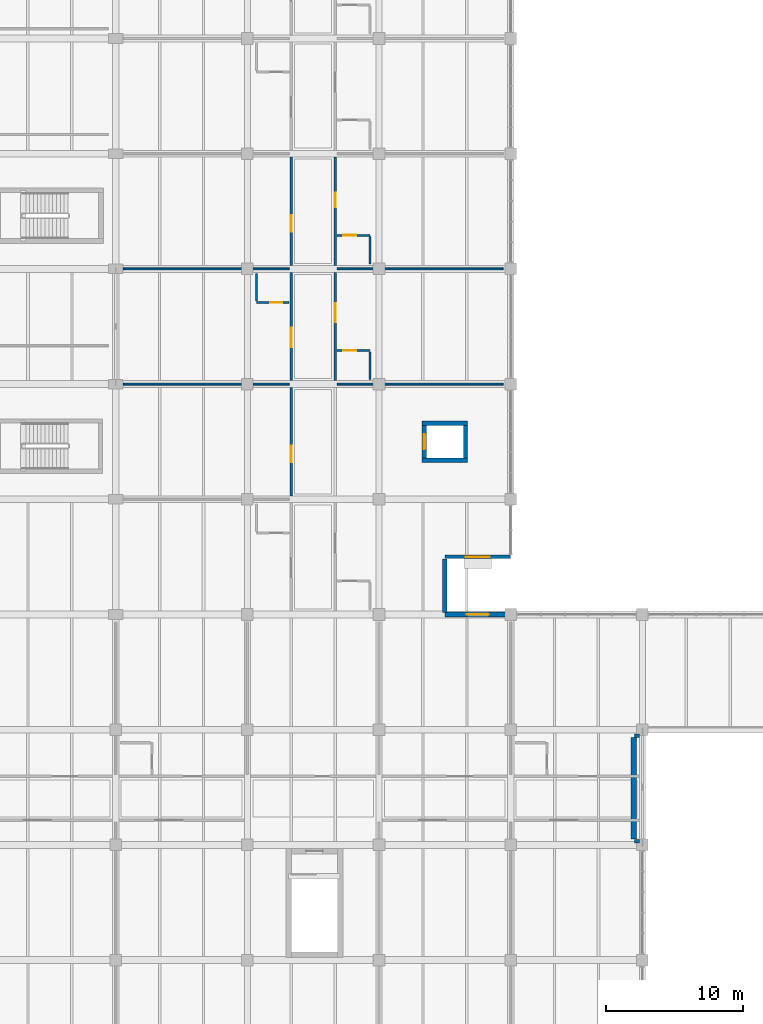
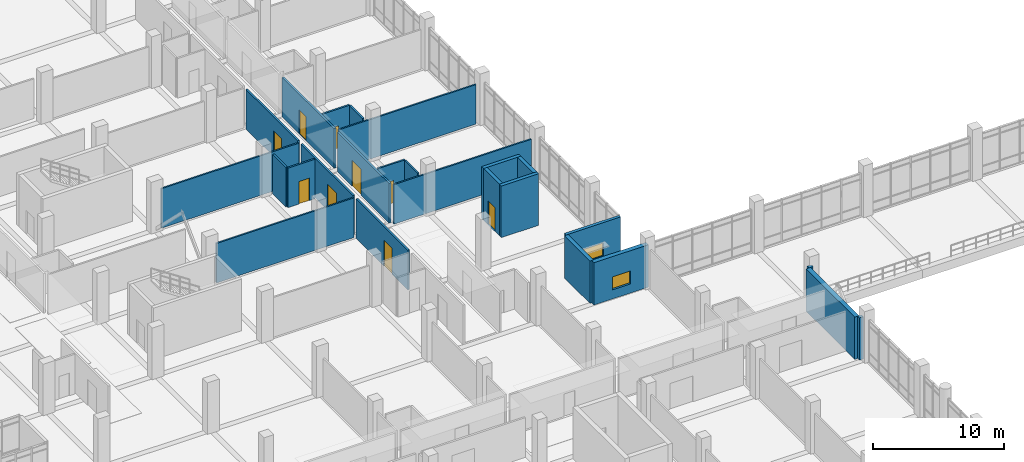
# One storey, part 120 of 152: 25 walls, 9 doors, 2 windows, 11 openings.
"""IFC4 building model written with IfcOpenShell, lengths in metres."""

import ifcopenshell
import ifcopenshell.guid

model = None  # the IFC model being written
_history = None  # IfcOwnerHistory: only IFC2X3 demands one
_inside = {}  # id of a spatial element -> (the spatial element, [elements in it])
_under = {}  # id of a project, library or spatial element -> (it, [spatial elements below it])
_declared = {}  # id of a project -> (the project, [libraries it declares])
_typed = {}  # id of a type object -> (the type object, [elements of that type])
_made_of = {}  # id of a material, layer set ... -> (it, [elements and type objects made of it])


def new_model(schema):
    """Start an empty IFC model of exactly this schema.

    Asked for "IFC4X3", IfcOpenShell would pick the latest addendum, in which some entities
    have other attributes; the version numbers below select the first issue.
    IFC2X3 requires an IfcOwnerHistory on every rooted entity: one is made here for all.
    """
    global model, _history
    if schema == "IFC4X3":
        model = ifcopenshell.file(schema_version=(4, 3, 0, 0))
    else:
        model = ifcopenshell.file(schema=schema)
    _inside.clear()
    _under.clear()
    _declared.clear()
    _typed.clear()
    _made_of.clear()
    _history = None
    if model.schema == "IFC2X3":
        org = make("IfcOrganization", Name="unknown")
        user = make(
            "IfcPersonAndOrganization",
            ThePerson=make("IfcPerson", FamilyName="unknown"),
            TheOrganization=org,
        )
        app = make(
            "IfcApplication",
            ApplicationDeveloper=org,
            Version="unknown",
            ApplicationFullName="unknown",
            ApplicationIdentifier="unknown",
        )
        _history = make(
            "IfcOwnerHistory",
            OwningUser=user,
            OwningApplication=app,
            ChangeAction="ADDED",
            CreationDate=0,
        )
    return model


def make(cls, **values):
    """One entity of the class cls with the attributes given. An attribute that is None is left unset."""
    return model.create_entity(
        cls, **{name: value for name, value in values.items() if value is not None}
    )


def rooted(cls, **values):
    """An entity with a GlobalId (a new one), such as an element, a storey or a relation."""
    return make(cls, GlobalId=ifcopenshell.guid.new(), OwnerHistory=_history, **values)


def si_unit(unit_type, name, prefix=None):
    """IfcSIUnit, for example si_unit("LENGTHUNIT", "METRE", prefix="MILLI")."""
    return make("IfcSIUnit", UnitType=unit_type, Prefix=prefix, Name=name)


def assignment(units):
    """IfcUnitAssignment: the units of a project."""
    return None if units is None else make("IfcUnitAssignment", Units=units)


def point(xyz):
    """IfcCartesianPoint."""
    return None if xyz is None else make("IfcCartesianPoint", Coordinates=xyz)


def direction(xyz):
    """IfcDirection."""
    return None if xyz is None else make("IfcDirection", DirectionRatios=xyz)


def frame(location, z_axis=None, x_axis=None):
    """IfcAxis2Placement3D, a coordinate frame: its origin and axes. An axis left out is left unset."""
    return make(
        "IfcAxis2Placement3D",
        Location=point(location),
        Axis=direction(z_axis),
        RefDirection=direction(x_axis),
    )


def frame_2d(location, x_axis=None):
    """IfcAxis2Placement2D, a coordinate frame in the plane: its origin and x axis."""
    return make(
        "IfcAxis2Placement2D", Location=point(location), RefDirection=direction(x_axis)
    )


def origin():
    """The frame at (0, 0, 0) with its axes left unset."""
    return frame((0.0, 0.0, 0.0))


def place(relative_to, where):
    """IfcLocalPlacement: puts the frame where relative to a parent placement (None: the world)."""
    return make(
        "IfcLocalPlacement", PlacementRelTo=relative_to, RelativePlacement=where
    )


def context(
    kind, dimensions, precision=None, world=None, true_north=None, identifier=None
):
    """IfcGeometricRepresentationContext, for example the 3D "Model" context."""
    return make(
        "IfcGeometricRepresentationContext",
        ContextIdentifier=identifier,
        ContextType=kind,
        CoordinateSpaceDimension=dimensions,
        Precision=precision,
        WorldCoordinateSystem=world,
        TrueNorth=true_north,
    )


def subcontext(parent, identifier, kind, view, scale=None):
    """IfcGeometricRepresentationSubContext, for example "Body" below "Model"."""
    return make(
        "IfcGeometricRepresentationSubContext",
        ContextIdentifier=identifier,
        ContextType=kind,
        ParentContext=parent,
        TargetScale=scale,
        TargetView=view,
    )


def project(units=None, contexts=None):
    """IfcProject with its units and contexts."""
    return rooted(
        "IfcProject",
        Name="project",
        RepresentationContexts=contexts,
        UnitsInContext=assignment(units),
    )


def spatial(cls, under=None, at=None, **own):
    """A site, building, storey or space (cls), placed at a placement, below another one or the project."""
    s = rooted(cls, ObjectPlacement=at, **own)
    if under is not None:
        _under.setdefault(under.id(), (under, []))[1].append(s)
    return s


def profile(cls, at=None, kind="AREA", **sizes):
    """A parametric profile (cls). Its sizes go by their IFC names, for example OverallWidth=200.0."""
    return make(cls, ProfileType=kind, Position=at, **sizes)


def rectangle(**sizes):
    """IfcRectangleProfileDef."""
    return profile("IfcRectangleProfileDef", **sizes)


def extrude(swept, where, along, depth):
    """IfcExtrudedAreaSolid: the profile swept, set in the frame where, extruded along a direction by depth."""
    return make(
        "IfcExtrudedAreaSolid",
        SweptArea=swept,
        Position=where,
        ExtrudedDirection=direction(along),
        Depth=depth,
    )


def shape(context_of_items, identifier, shape_type, items):
    """IfcShapeRepresentation: the items that make up one representation, for example the "Body"."""
    return make(
        "IfcShapeRepresentation",
        ContextOfItems=context_of_items,
        RepresentationIdentifier=identifier,
        RepresentationType=shape_type,
        Items=items,
    )


def material(Name=None, Category=None):
    """IfcMaterial."""
    return make("IfcMaterial", Name=Name, Category=Category)


def layer(
    of_material, thickness, ventilated=None, Name=None, Category=None, Priority=None
):
    """IfcMaterialLayer: one layer of a wall or slab, of a material (None: an air gap)."""
    return make(
        "IfcMaterialLayer",
        Material=of_material,
        LayerThickness=thickness,
        IsVentilated=ventilated,
        Name=Name,
        Category=Category,
        Priority=Priority,
    )


def layer_set(layers, Name=None):
    """IfcMaterialLayerSet."""
    return make("IfcMaterialLayerSet", MaterialLayers=layers, LayerSetName=Name)


def made_of(thing, what):
    """Note that an element or type object is made of a material, layer set ...; save() writes the relation."""
    if what is not None:
        _made_of.setdefault(what.id(), (what, []))[1].append(thing)
    return thing


def type_object(cls, material=None, **own):
    """A type object (cls), such as IfcWallType, which elements share."""
    return made_of(rooted(cls, **own), material)


def element(
    cls,
    number,
    at=None,
    inside=None,
    cuts=None,
    type_object=None,
    material=None,
    context=None,
    identifier="Body",
    shape_type=None,
    held_by="IfcProductDefinitionShape",
    body=None,
    shapes=None,
    **own,
):
    """One element of the class cls, such as IfcWall. Its Tag is "e" and its number.

    at: its placement. inside: the storey or other place that contains it. cuts: it is an
    opening in that element (IfcRelVoidsElement). A single representation is given by context,
    identifier, shape_type and body (its items); several are given by shapes. held_by: the class
    of the entity that holds the representations. save() writes the other relations.
    """
    e = rooted(cls, Tag="e%d" % number, ObjectPlacement=at, **own)
    if body is not None:
        shapes = [shape(context, identifier, shape_type, body)]
    if shapes is not None:
        e.Representation = make(held_by, Representations=shapes)
    if inside is not None:
        _inside.setdefault(inside.id(), (inside, []))[1].append(e)
    if cuts is not None:
        rooted(
            "IfcRelVoidsElement", RelatingBuildingElement=cuts, RelatedOpeningElement=e
        )
    if type_object is not None:
        _typed.setdefault(type_object.id(), (type_object, []))[1].append(e)
    return made_of(e, material)


def fill(opening, filler):
    """IfcRelFillsElement: the door or window that sits in an opening."""
    return rooted(
        "IfcRelFillsElement",
        RelatingOpeningElement=opening,
        RelatedBuildingElement=filler,
    )


def aggregate(whole, parts):
    """IfcRelAggregates: a whole, such as a stair, and the parts it consists of."""
    return rooted("IfcRelAggregates", RelatingObject=whole, RelatedObjects=parts)


def save(model, path):
    """Write the relations noted so far, then the file.

    IfcRelAggregates (storeys below a building ...), IfcRelContainedInSpatialStructure (elements
    in a storey), IfcRelDefinesByType, IfcRelAssociatesMaterial and IfcRelDeclares: one each for
    every whole, place, type object, material and project.
    """
    for whole, parts in _under.values():
        aggregate(whole, parts)
    for where, things in _inside.values():
        rooted(
            "IfcRelContainedInSpatialStructure",
            RelatedElements=things,
            RelatingStructure=where,
        )
    for kind, things in _typed.values():
        rooted("IfcRelDefinesByType", RelatedObjects=things, RelatingType=kind)
    for what, things in _made_of.values():
        rooted("IfcRelAssociatesMaterial", RelatedObjects=things, RelatingMaterial=what)
    for by, libraries in _declared.values():
        rooted("IfcRelDeclares", RelatingContext=by, RelatedDefinitions=libraries)
    model.write(path)


model = new_model("IFC4")

# Units and contexts
model_context = context("Model", 3, precision=1e-05, world=origin(), true_north=direction((0.0, 1.0)))
body_context = subcontext(model_context, "Body", "Model", "MODEL_VIEW")
ifc_project = project(units=[si_unit("LENGTHUNIT", "METRE"), si_unit("AREAUNIT", "SQUARE_METRE"), si_unit("VOLUMEUNIT", "CUBIC_METRE"), si_unit("PLANEANGLEUNIT", "RADIAN"), si_unit("MASSUNIT", "GRAM", prefix="KILO")], contexts=[model_context])

# Site, building, storey
site_placement = place(None, origin())
site = spatial("IfcSite", under=ifc_project, at=site_placement, CompositionType="ELEMENT")
building_placement = place(site_placement, origin())
building = spatial("IfcBuilding", under=site, at=building_placement, Name="Oolite Switchyard Hospital", CompositionType="ELEMENT")
storey_placement = place(building_placement, frame((0.0, 0.0, 5.10009765625)))
storey = spatial("IfcBuildingStorey", under=building, at=storey_placement, Name="L01", CompositionType="ELEMENT", Elevation=5.10009765625)

# Wall, opening, window
ifc_material_1 = material(Name="Precast oolitic limestone architectural concrete C40/50", Category="masonry")
ifc_layer_1 = layer(ifc_material_1, 0.260009765625)
ifc_layer_set_1 = layer_set([ifc_layer_1], Name="WAL-EXT-260")
wall_type_1 = type_object("IfcWallType", Name="WAL-EXT-260", PredefinedType="SOLIDWALL", material=ifc_layer_set_1)
wall_1_placement = place(storey_placement, frame((57.60009765625, 37.800048828125, 0.0), z_axis=(0.0, 0.0, 1.0), x_axis=(-1.0, 0.0, 0.0)))
wall_1 = element("IfcWall", 1, at=wall_1_placement, inside=storey, type_object=wall_type_1, Name="L01 Exterior Spandrel Wall 83", PredefinedType="SOLIDWALL", context=body_context, shape_type="SweptSolid", body=[
    extrude(rectangle(XDim=4.800048828125, YDim=0.260009765625, at=frame_2d((2.39990234375, 0.0))), origin(), (0.0, 0.0, 1.0), 3.93994140625),
])
opening_1_placement = place(wall_1_placement, frame((1.52490234375, 0.0, 0.85009765625)))
opening_1 = element("IfcOpeningElement", 2, at=opening_1_placement, cuts=wall_1, Name="Opening WN-0028", PredefinedType="OPENING", context=body_context, shape_type="SweptSolid", body=[
    extrude(rectangle(XDim=1.75, YDim=1.199951171875, at=frame_2d((0.875, 0.60009765625))), frame((0.0, 0.14013671875, 0.0), z_axis=(0.0, -1.0, 0.0), x_axis=(1.0, 0.0, 0.0)), (0.0, 0.0, 1.0), 0.280029296875),
])
ifc_material_2 = material(Name="Thermally broken aluminum frame with laminated impact glazing", Category="aluminium")
window_type_1 = type_object("IfcWindowType", Name="WIN-IMP-175X120", PartitioningType="SINGLE_PANEL", PredefinedType="WINDOW", material=ifc_material_2)
window_1_placement = place(opening_1_placement, origin())
window_1 = element("IfcWindow", 3, at=window_1_placement, inside=storey, type_object=window_type_1, Name="L01 Hurricane Impact Window WN-0028", OverallHeight=1.199951171875, OverallWidth=1.75, PartitioningType="SINGLE_PANEL", PredefinedType="WINDOW", context=body_context, shape_type="SweptSolid", body=[
    extrude(rectangle(XDim=1.75, YDim=1.199951171875, at=frame_2d((0.875, 0.60009765625))), frame((0.0, 0.030029296875, 0.0), z_axis=(0.0, -1.0, 0.0), x_axis=(1.0, 0.0, 0.0)), (0.0, 0.0, 1.0), 0.06005859375),
])
fill(opening_1, window_1)

# Walls
for number, where, z_axis, x_axis, name in (
    (4, (67.0, 24.760009765625, 0.0), (0.0, 0.0, 1.0), (-1.0, 0.0, 0.0), "L01 Brace Alcove Cheek Wall 108"),
    (5, (67.0, 17.080078125, 0.0), (0.0, 0.0, 1.0), (-1.0, 0.0, 0.0), "L01 Brace Alcove Cheek Wall 109"),
):
    element("IfcWall", number, at=place(storey_placement, frame(where, z_axis=z_axis, x_axis=x_axis)), inside=storey, type_object=wall_type_1, Name=name, PredefinedType="SOLIDWALL", context=body_context, shape_type="SweptSolid", body=[
        extrude(rectangle(XDim=0.360107421875, YDim=0.260009765625, at=frame_2d((0.18017578125, 0.0))), origin(), (0.0, 0.0, 1.0), 3.93994140625),
    ])
ifc_layer_2 = layer(ifc_material_1, 0.320068359375)
ifc_layer_set_2 = layer_set([ifc_layer_2], Name="WAL-EXT-320")
wall_type_2 = type_object("IfcWallType", Name="WAL-EXT-320", PredefinedType="SOLIDWALL", material=ifc_layer_set_2)
wall_2_placement = place(storey_placement, frame((52.800048828125, 37.639892578125, 0.0), z_axis=(0.0, 0.0, 1.0), x_axis=(0.0, -1.0, 0.0)))
element("IfcWall", 6, at=wall_2_placement, inside=storey, type_object=wall_type_2, Name="L01 Exterior Spandrel Wall 107", PredefinedType="SOLIDWALL", context=body_context, shape_type="SweptSolid", body=[
    extrude(rectangle(XDim=3.8798828125, YDim=0.320068359375, at=frame_2d((1.93994140625, 0.0))), origin(), (0.0, 0.0, 1.0), 3.93994140625),
])

# Wall, opening, window
ifc_layer_3 = layer(ifc_material_1, 0.3798828125)
ifc_layer_set_3 = layer_set([ifc_layer_3], Name="WAL-EXT-380")
wall_type_3 = type_object("IfcWallType", Name="WAL-EXT-380", PredefinedType="SOLIDWALL", material=ifc_layer_set_3)
wall_3_placement = place(storey_placement, frame((52.800048828125, 33.60009765625, 0.0), z_axis=(0.0, 0.0, 1.0), x_axis=(1.0, 0.0, 0.0)))
wall_3 = element("IfcWall", 7, at=wall_3_placement, inside=storey, type_object=wall_type_3, Name="L01 Exterior Spandrel Wall 82", PredefinedType="SOLIDWALL", context=body_context, shape_type="SweptSolid", body=[
    extrude(rectangle(XDim=4.800048828125, YDim=0.3798828125, at=frame_2d((2.39990234375, 0.0))), origin(), (0.0, 0.0, 1.0), 3.93994140625),
])
opening_2_placement = place(wall_3_placement, frame((1.60009765625, 0.0, 0.85009765625)))
opening_2 = element("IfcOpeningElement", 8, at=opening_2_placement, cuts=wall_3, Name="Opening WN-0027", PredefinedType="OPENING", context=body_context, shape_type="SweptSolid", body=[
    extrude(rectangle(XDim=1.60009765625, YDim=1.199951171875, at=frame_2d((0.800048828125, 0.60009765625))), frame((0.0, 0.199951171875, 0.0), z_axis=(0.0, -1.0, 0.0), x_axis=(1.0, 0.0, 0.0)), (0.0, 0.0, 1.0), 0.39990234375),
])
window_type_2 = type_object("IfcWindowType", Name="WIN-IMP-160X120", PartitioningType="SINGLE_PANEL", PredefinedType="WINDOW", material=ifc_material_2)
window_2_placement = place(opening_2_placement, origin())
window_2 = element("IfcWindow", 9, at=window_2_placement, inside=storey, type_object=window_type_2, Name="L01 Hurricane Impact Window WN-0027", OverallHeight=1.199951171875, OverallWidth=1.60009765625, PartitioningType="SINGLE_PANEL", PredefinedType="WINDOW", context=body_context, shape_type="SweptSolid", body=[
    extrude(rectangle(XDim=1.60009765625, YDim=1.199951171875, at=frame_2d((0.800048828125, 0.60009765625))), frame((0.0, 0.030029296875, 0.0), z_axis=(0.0, -1.0, 0.0), x_axis=(1.0, 0.0, 0.0)), (0.0, 0.0, 1.0), 0.06005859375),
])
fill(opening_2, window_2)

# Walls
wall_4_placement = place(storey_placement, frame((66.580078125, 24.6201171875, 0.0), z_axis=(0.0, 0.0, 1.0), x_axis=(0.0, -1.0, 0.0)))
element("IfcWall", 10, at=wall_4_placement, inside=storey, type_object=wall_type_3, Name="L01 Exterior Spandrel Wall 110", PredefinedType="SOLIDWALL", context=body_context, shape_type="SweptSolid", body=[
    extrude(rectangle(XDim=7.400146484375, YDim=0.3798828125, at=frame_2d((3.7001953125, 0.0))), origin(), (0.0, 0.0, 1.0), 3.93994140625),
])
ifc_material_3 = material(Name="Moisture-resistant gypsum board on steel studs", Category="steel")
ifc_layer_4 = layer(ifc_material_3, 0.135009765625)
ifc_layer_set_4 = layer_set([ifc_layer_4], Name="WAL-PART-135")
wall_type_4 = type_object("IfcWallType", Name="WAL-PART-135", PredefinedType="PARTITIONING", material=ifc_layer_set_4)
wall_5_placement = place(storey_placement, frame((29.35009765625, 50.39990234375, 0.0), z_axis=(0.0, 0.0, 1.0), x_axis=(1.0, 0.0, 0.0)))
element("IfcWall", 11, at=wall_5_placement, inside=storey, type_object=wall_type_4, Name="L01 Interior Partition 250", PredefinedType="PARTITIONING", context=body_context, shape_type="SweptSolid", body=[
    extrude(rectangle(XDim=12.099853515625, YDim=0.135009765625, at=frame_2d((6.0498046875, 0.0))), origin(), (0.0, 0.0, 1.0), 3.679931640625),
])
wall_6_placement = place(storey_placement, frame((44.949951171875, 50.39990234375, 0.0), z_axis=(0.0, 0.0, 1.0), x_axis=(1.0, 0.0, 0.0)))
element("IfcWall", 12, at=wall_6_placement, inside=storey, type_object=wall_type_4, Name="L01 Interior Partition 254", PredefinedType="PARTITIONING", context=body_context, shape_type="SweptSolid", body=[
    extrude(rectangle(XDim=12.10009765625, YDim=0.135009765625, at=frame_2d((6.050048828125, 0.0))), origin(), (0.0, 0.0, 1.0), 3.679931640625),
])
wall_7_placement = place(storey_placement, frame((29.35009765625, 58.800048828125, 0.0), z_axis=(0.0, 0.0, 1.0), x_axis=(1.0, 0.0, 0.0)))
element("IfcWall", 13, at=wall_7_placement, inside=storey, type_object=wall_type_4, Name="L01 Interior Partition 256", PredefinedType="PARTITIONING", context=body_context, shape_type="SweptSolid", body=[
    extrude(rectangle(XDim=12.099853515625, YDim=0.135009765625, at=frame_2d((6.0498046875, 0.0))), origin(), (0.0, 0.0, 1.0), 3.679931640625),
])
wall_8_placement = place(storey_placement, frame((44.949951171875, 58.800048828125, 0.0), z_axis=(0.0, 0.0, 1.0), x_axis=(1.0, 0.0, 0.0)))
element("IfcWall", 14, at=wall_8_placement, inside=storey, type_object=wall_type_4, Name="L01 Interior Partition 260", PredefinedType="PARTITIONING", context=body_context, shape_type="SweptSolid", body=[
    extrude(rectangle(XDim=12.10009765625, YDim=0.135009765625, at=frame_2d((6.050048828125, 0.0))), origin(), (0.0, 0.0, 1.0), 3.679931640625),
])

# Wall, opening, door
ifc_layer_5 = layer(ifc_material_3, 0.14990234375)
ifc_layer_set_5 = layer_set([ifc_layer_5], Name="WAL-PART-150")
wall_type_5 = type_object("IfcWallType", Name="WAL-PART-150", PredefinedType="PARTITIONING", material=ifc_layer_set_5)
wall_9_placement = place(storey_placement, frame((39.050048828125, 56.35009765625, 0.0), z_axis=(0.0, 0.0, 1.0), x_axis=(1.0, 0.0, 0.0)))
wall_9 = element("IfcWall", 15, at=wall_9_placement, inside=storey, type_object=wall_type_5, Name="L01 Interior Partition 248", PredefinedType="PARTITIONING", context=body_context, shape_type="SweptSolid", body=[
    extrude(rectangle(XDim=2.39990234375, YDim=0.14990234375, at=frame_2d((1.199951171875, 0.0))), origin(), (0.0, 0.0, 1.0), 3.679931640625),
])
opening_3_placement = place(wall_9_placement, frame((1.0, 0.0, 0.0)))
opening_3 = element("IfcOpeningElement", 16, at=opening_3_placement, cuts=wall_9, Name="Opening D-0147", PredefinedType="OPENING", context=body_context, shape_type="SweptSolid", body=[
    extrude(rectangle(XDim=0.89990234375, YDim=2.10009765625, at=frame_2d((0.449951171875, 1.050048828125))), frame((0.0, 0.0849609375, 0.0), z_axis=(0.0, -1.0, 0.0), x_axis=(1.0, 0.0, 0.0)), (0.0, 0.0, 1.0), 0.169921875),
])
ifc_material_4 = material(Name="Solid-core antimicrobial hardwood leaf in steel frame", Category="steel")
door_type_1 = type_object("IfcDoorType", Name="DR-BATH-090X210", OperationType="NOTDEFINED", PredefinedType="DOOR", material=ifc_material_4)
door_1_placement = place(opening_3_placement, origin())
door_1 = element("IfcDoor", 17, at=door_1_placement, inside=storey, type_object=door_type_1, Name="L01 Interior Door D-0147", OperationType="SINGLE_SWING_RIGHT", OverallHeight=2.10009765625, OverallWidth=0.89990234375, PredefinedType="DOOR", context=body_context, shape_type="SweptSolid", body=[
    extrude(rectangle(XDim=0.89990234375, YDim=2.10009765625, at=frame_2d((0.449951171875, 1.050048828125))), frame((0.0, 0.02490234375, 0.0), z_axis=(0.0, -1.0, 0.0), x_axis=(1.0, 0.0, 0.0)), (0.0, 0.0, 1.0), 0.050048828125),
])
fill(opening_3, door_1)

# Wall
wall_10_placement = place(storey_placement, frame((39.050048828125, 56.449951171875, 0.0), z_axis=(0.0, 0.0, 1.0), x_axis=(0.0, 1.0, 0.0)))
element("IfcWall", 18, at=wall_10_placement, inside=storey, type_object=wall_type_5, Name="L01 Interior Partition 249", PredefinedType="PARTITIONING", context=body_context, shape_type="SweptSolid", body=[
    extrude(rectangle(XDim=2.0, YDim=0.14990234375, at=frame_2d((1.0, 0.0))), origin(), (0.0, 0.0, 1.0), 3.679931640625),
])

# Wall, opening, door
wall_11_placement = place(storey_placement, frame((44.949951171875, 52.85009765625, 0.0), z_axis=(0.0, 0.0, 1.0), x_axis=(1.0, 0.0, 0.0)))
wall_11 = element("IfcWall", 19, at=wall_11_placement, inside=storey, type_object=wall_type_5, Name="L01 Interior Partition 252", PredefinedType="PARTITIONING", context=body_context, shape_type="SweptSolid", body=[
    extrude(rectangle(XDim=2.400146484375, YDim=0.14990234375, at=frame_2d((1.2001953125, 0.0))), origin(), (0.0, 0.0, 1.0), 3.679931640625),
])
opening_4_placement = place(wall_11_placement, frame((0.449951171875, 0.0, 0.0)))
opening_4 = element("IfcOpeningElement", 20, at=opening_4_placement, cuts=wall_11, Name="Opening D-0149", PredefinedType="OPENING", context=body_context, shape_type="SweptSolid", body=[
    extrude(rectangle(XDim=0.949951171875, YDim=2.10009765625, at=frame_2d((0.47509765625, 1.050048828125))), frame((0.0, 0.0849609375, 0.0), z_axis=(0.0, -1.0, 0.0), x_axis=(1.0, 0.0, 0.0)), (0.0, 0.0, 1.0), 0.169921875),
])
door_type_2 = type_object("IfcDoorType", Name="DR-BATH-095X210", OperationType="NOTDEFINED", PredefinedType="DOOR", material=ifc_material_4)
door_2_placement = place(opening_4_placement, origin())
door_2 = element("IfcDoor", 21, at=door_2_placement, inside=storey, type_object=door_type_2, Name="L01 Interior Door D-0149", OperationType="SINGLE_SWING_LEFT", OverallHeight=2.10009765625, OverallWidth=0.949951171875, PredefinedType="DOOR", context=body_context, shape_type="SweptSolid", body=[
    extrude(rectangle(XDim=0.949951171875, YDim=2.10009765625, at=frame_2d((0.47509765625, 1.050048828125))), frame((0.0, 0.02490234375, 0.0), z_axis=(0.0, -1.0, 0.0), x_axis=(1.0, 0.0, 0.0)), (0.0, 0.0, 1.0), 0.050048828125),
])
fill(opening_4, door_2)

# Wall
wall_12_placement = place(storey_placement, frame((47.35009765625, 50.75, 0.0), z_axis=(0.0, 0.0, 1.0), x_axis=(0.0, 1.0, 0.0)))
element("IfcWall", 22, at=wall_12_placement, inside=storey, type_object=wall_type_5, Name="L01 Interior Partition 253", PredefinedType="PARTITIONING", context=body_context, shape_type="SweptSolid", body=[
    extrude(rectangle(XDim=2.0, YDim=0.14990234375, at=frame_2d((1.0, 0.0))), origin(), (0.0, 0.0, 1.0), 3.679931640625),
])

# Wall, opening, door
wall_13_placement = place(storey_placement, frame((44.949951171875, 61.25, 0.0), z_axis=(0.0, 0.0, 1.0), x_axis=(1.0, 0.0, 0.0)))
wall_13 = element("IfcWall", 23, at=wall_13_placement, inside=storey, type_object=wall_type_5, Name="L01 Interior Partition 258", PredefinedType="PARTITIONING", context=body_context, shape_type="SweptSolid", body=[
    extrude(rectangle(XDim=2.400146484375, YDim=0.14990234375, at=frame_2d((1.2001953125, 0.0))), origin(), (0.0, 0.0, 1.0), 3.679931640625),
])
opening_5_placement = place(wall_13_placement, frame((0.449951171875, 0.0, 0.0)))
opening_5 = element("IfcOpeningElement", 24, at=opening_5_placement, cuts=wall_13, Name="Opening D-0152", PredefinedType="OPENING", context=body_context, shape_type="SweptSolid", body=[
    extrude(rectangle(XDim=0.949951171875, YDim=2.10009765625, at=frame_2d((0.47509765625, 1.050048828125))), frame((0.0, 0.0849609375, 0.0), z_axis=(0.0, -1.0, 0.0), x_axis=(1.0, 0.0, 0.0)), (0.0, 0.0, 1.0), 0.169921875),
])
door_3_placement = place(opening_5_placement, origin())
door_3 = element("IfcDoor", 25, at=door_3_placement, inside=storey, type_object=door_type_2, Name="L01 Interior Door D-0152", OperationType="SINGLE_SWING_RIGHT", OverallHeight=2.10009765625, OverallWidth=0.949951171875, PredefinedType="DOOR", context=body_context, shape_type="SweptSolid", body=[
    extrude(rectangle(XDim=0.949951171875, YDim=2.10009765625, at=frame_2d((0.47509765625, 1.050048828125))), frame((0.0, 0.02490234375, 0.0), z_axis=(0.0, -1.0, 0.0), x_axis=(1.0, 0.0, 0.0)), (0.0, 0.0, 1.0), 0.050048828125),
])
fill(opening_5, door_3)

# Wall
wall_14_placement = place(storey_placement, frame((47.35009765625, 59.14990234375, 0.0), z_axis=(0.0, 0.0, 1.0), x_axis=(0.0, 1.0, 0.0)))
element("IfcWall", 26, at=wall_14_placement, inside=storey, type_object=wall_type_5, Name="L01 Interior Partition 259", PredefinedType="PARTITIONING", context=body_context, shape_type="SweptSolid", body=[
    extrude(rectangle(XDim=2.0, YDim=0.14990234375, at=frame_2d((1.0, 0.0))), origin(), (0.0, 0.0, 1.0), 3.679931640625),
])

# Wall, opening, door
ifc_layer_6 = layer(ifc_material_3, 0.1650390625)
ifc_layer_set_6 = layer_set([ifc_layer_6], Name="WAL-PART-165")
wall_type_6 = type_object("IfcWallType", Name="WAL-PART-165", PredefinedType="PARTITIONING", material=ifc_layer_set_6)
wall_15_placement = place(storey_placement, frame((41.60009765625, 42.25, 0.0), z_axis=(0.0, 0.0, 1.0), x_axis=(0.0, 1.0, 0.0)))
wall_15 = element("IfcWall", 27, at=wall_15_placement, inside=storey, type_object=wall_type_6, Name="L01 Interior Partition 245", PredefinedType="PARTITIONING", context=body_context, shape_type="SweptSolid", body=[
    extrude(rectangle(XDim=7.89990234375, YDim=0.1650390625, at=frame_2d((3.949951171875, 0.0))), origin(), (0.0, 0.0, 1.0), 3.679931640625),
])
opening_6_placement = place(wall_15_placement, frame((2.449951171875, 0.0, 0.0)))
opening_6 = element("IfcOpeningElement", 28, at=opening_6_placement, cuts=wall_15, Name="Opening D-0145", PredefinedType="OPENING", context=body_context, shape_type="SweptSolid", body=[
    extrude(rectangle(XDim=1.199951171875, YDim=2.39990234375, at=frame_2d((0.60009765625, 1.199951171875))), frame((0.0, 0.092529296875, 0.0), z_axis=(0.0, -1.0, 0.0), x_axis=(1.0, 0.0, 0.0)), (0.0, 0.0, 1.0), 0.18505859375),
])
ifc_material_5 = material(Name="Hollow metal fire-rated steel door assembly", Category="steel")
door_type_3 = type_object("IfcDoorType", Name="DR-PHARM-120X240", OperationType="NOTDEFINED", PredefinedType="DOOR", material=ifc_material_5)
door_4_placement = place(opening_6_placement, origin())
door_4 = element("IfcDoor", 29, at=door_4_placement, inside=storey, type_object=door_type_3, Name="L01 Interior Door D-0145", OperationType="SINGLE_SWING_RIGHT", OverallHeight=2.39990234375, OverallWidth=1.199951171875, PredefinedType="DOOR", context=body_context, shape_type="SweptSolid", body=[
    extrude(rectangle(XDim=1.199951171875, YDim=2.39990234375, at=frame_2d((0.60009765625, 1.199951171875))), frame((0.0, 0.02490234375, 0.0), z_axis=(0.0, -1.0, 0.0), x_axis=(1.0, 0.0, 0.0)), (0.0, 0.0, 1.0), 0.050048828125),
])
fill(opening_6, door_4)

wall_16_placement = place(storey_placement, frame((41.60009765625, 50.64990234375, 0.0), z_axis=(0.0, 0.0, 1.0), x_axis=(0.0, 1.0, 0.0)))
wall_16 = element("IfcWall", 30, at=wall_16_placement, inside=storey, type_object=wall_type_6, Name="L01 Interior Partition 247", PredefinedType="PARTITIONING", context=body_context, shape_type="SweptSolid", body=[
    extrude(rectangle(XDim=7.900146484375, YDim=0.1650390625, at=frame_2d((3.9501953125, 0.0))), origin(), (0.0, 0.0, 1.0), 3.679931640625),
])
opening_7_placement = place(wall_16_placement, frame((2.449951171875, 0.0, 0.0)))
opening_7 = element("IfcOpeningElement", 31, at=opening_7_placement, cuts=wall_16, Name="Opening D-0146", PredefinedType="OPENING", context=body_context, shape_type="SweptSolid", body=[
    extrude(rectangle(XDim=1.39990234375, YDim=2.39990234375, at=frame_2d((0.699951171875, 1.199951171875))), frame((0.0, 0.092529296875, 0.0), z_axis=(0.0, -1.0, 0.0), x_axis=(1.0, 0.0, 0.0)), (0.0, 0.0, 1.0), 0.18505859375),
])
door_type_4 = type_object("IfcDoorType", Name="DR-ICU-140X240", OperationType="NOTDEFINED", PredefinedType="DOOR", material=ifc_material_4)
door_5_placement = place(opening_7_placement, origin())
door_5 = element("IfcDoor", 32, at=door_5_placement, inside=storey, type_object=door_type_4, Name="L01 Interior Door D-0146", OperationType="SINGLE_SWING_LEFT", OverallHeight=2.39990234375, OverallWidth=1.39990234375, PredefinedType="DOOR", context=body_context, shape_type="SweptSolid", body=[
    extrude(rectangle(XDim=1.39990234375, YDim=2.39990234375, at=frame_2d((0.699951171875, 1.199951171875))), frame((0.0, 0.02490234375, 0.0), z_axis=(0.0, -1.0, 0.0), x_axis=(1.0, 0.0, 0.0)), (0.0, 0.0, 1.0), 0.050048828125),
])
fill(opening_7, door_5)

wall_17_placement = place(storey_placement, frame((44.800048828125, 50.64990234375, 0.0), z_axis=(0.0, 0.0, 1.0), x_axis=(0.0, 1.0, 0.0)))
wall_17 = element("IfcWall", 33, at=wall_17_placement, inside=storey, type_object=wall_type_6, Name="L01 Interior Partition 251", PredefinedType="PARTITIONING", context=body_context, shape_type="SweptSolid", body=[
    extrude(rectangle(XDim=7.900146484375, YDim=0.1650390625, at=frame_2d((3.9501953125, 0.0))), origin(), (0.0, 0.0, 1.0), 3.679931640625),
])
opening_8_placement = place(wall_17_placement, frame((4.25, 0.0, 0.0)))
opening_8 = element("IfcOpeningElement", 34, at=opening_8_placement, cuts=wall_17, Name="Opening D-0148", PredefinedType="OPENING", context=body_context, shape_type="SweptSolid", body=[
    extrude(rectangle(XDim=1.39990234375, YDim=2.39990234375, at=frame_2d((0.699951171875, 1.199951171875))), frame((0.0, 0.092529296875, 0.0), z_axis=(0.0, -1.0, 0.0), x_axis=(1.0, 0.0, 0.0)), (0.0, 0.0, 1.0), 0.18505859375),
])
door_6_placement = place(opening_8_placement, origin())
door_6 = element("IfcDoor", 35, at=door_6_placement, inside=storey, type_object=door_type_4, Name="L01 Interior Door D-0148", OperationType="SINGLE_SWING_RIGHT", OverallHeight=2.39990234375, OverallWidth=1.39990234375, PredefinedType="DOOR", context=body_context, shape_type="SweptSolid", body=[
    extrude(rectangle(XDim=1.39990234375, YDim=2.39990234375, at=frame_2d((0.699951171875, 1.199951171875))), frame((0.0, 0.02490234375, 0.0), z_axis=(0.0, -1.0, 0.0), x_axis=(1.0, 0.0, 0.0)), (0.0, 0.0, 1.0), 0.050048828125),
])
fill(opening_8, door_6)

wall_18_placement = place(storey_placement, frame((41.60009765625, 59.050048828125, 0.0), z_axis=(0.0, 0.0, 1.0), x_axis=(0.0, 1.0, 0.0)))
wall_18 = element("IfcWall", 36, at=wall_18_placement, inside=storey, type_object=wall_type_6, Name="L01 Interior Partition 255", PredefinedType="PARTITIONING", context=body_context, shape_type="SweptSolid", body=[
    extrude(rectangle(XDim=7.89990234375, YDim=0.1650390625, at=frame_2d((3.949951171875, 0.0))), origin(), (0.0, 0.0, 1.0), 3.679931640625),
])
opening_9_placement = place(wall_18_placement, frame((2.449951171875, 0.0, 0.0)))
opening_9 = element("IfcOpeningElement", 37, at=opening_9_placement, cuts=wall_18, Name="Opening D-0150", PredefinedType="OPENING", context=body_context, shape_type="SweptSolid", body=[
    extrude(rectangle(XDim=1.199951171875, YDim=2.39990234375, at=frame_2d((0.60009765625, 1.199951171875))), frame((0.0, 0.092529296875, 0.0), z_axis=(0.0, -1.0, 0.0), x_axis=(1.0, 0.0, 0.0)), (0.0, 0.0, 1.0), 0.18505859375),
])
door_7_placement = place(opening_9_placement, origin())
door_7 = element("IfcDoor", 38, at=door_7_placement, inside=storey, type_object=door_type_3, Name="L01 Interior Door D-0150", OperationType="SINGLE_SWING_RIGHT", OverallHeight=2.39990234375, OverallWidth=1.199951171875, PredefinedType="DOOR", context=body_context, shape_type="SweptSolid", body=[
    extrude(rectangle(XDim=1.199951171875, YDim=2.39990234375, at=frame_2d((0.60009765625, 1.199951171875))), frame((0.0, 0.02490234375, 0.0), z_axis=(0.0, -1.0, 0.0), x_axis=(1.0, 0.0, 0.0)), (0.0, 0.0, 1.0), 0.050048828125),
])
fill(opening_9, door_7)

wall_19_placement = place(storey_placement, frame((44.800048828125, 59.050048828125, 0.0), z_axis=(0.0, 0.0, 1.0), x_axis=(0.0, 1.0, 0.0)))
wall_19 = element("IfcWall", 39, at=wall_19_placement, inside=storey, type_object=wall_type_6, Name="L01 Interior Partition 257", PredefinedType="PARTITIONING", context=body_context, shape_type="SweptSolid", body=[
    extrude(rectangle(XDim=7.89990234375, YDim=0.1650390625, at=frame_2d((3.949951171875, 0.0))), origin(), (0.0, 0.0, 1.0), 3.679931640625),
])
opening_10_placement = place(wall_19_placement, frame((4.25, 0.0, 0.0)))
opening_10 = element("IfcOpeningElement", 40, at=opening_10_placement, cuts=wall_19, Name="Opening D-0151", PredefinedType="OPENING", context=body_context, shape_type="SweptSolid", body=[
    extrude(rectangle(XDim=1.050048828125, YDim=2.199951171875, at=frame_2d((0.52490234375, 1.10009765625))), frame((0.0, 0.092529296875, 0.0), z_axis=(0.0, -1.0, 0.0), x_axis=(1.0, 0.0, 0.0)), (0.0, 0.0, 1.0), 0.18505859375),
])
door_type_5 = type_object("IfcDoorType", Name="DR-DUTY-105X220", OperationType="NOTDEFINED", PredefinedType="DOOR", material=ifc_material_4)
door_8_placement = place(opening_10_placement, origin())
door_8 = element("IfcDoor", 41, at=door_8_placement, inside=storey, type_object=door_type_5, Name="L01 Interior Door D-0151", OperationType="SINGLE_SWING_LEFT", OverallHeight=2.199951171875, OverallWidth=1.050048828125, PredefinedType="DOOR", context=body_context, shape_type="SweptSolid", body=[
    extrude(rectangle(XDim=1.050048828125, YDim=2.199951171875, at=frame_2d((0.52490234375, 1.10009765625))), frame((0.0, 0.02490234375, 0.0), z_axis=(0.0, -1.0, 0.0), x_axis=(1.0, 0.0, 0.0)), (0.0, 0.0, 1.0), 0.050048828125),
])
fill(opening_10, door_8)

# Walls
ifc_material_6 = material(Name="Concrete C50/60", Category="concrete")
ifc_layer_7 = layer(ifc_material_6, 0.300048828125)
ifc_layer_set_7 = layer_set([ifc_layer_7], Name="WAL-SHR-300")
wall_type_7 = type_object("IfcWallType", Name="WAL-SHR-300", PredefinedType="SHEAR", material=ifc_layer_set_7)
wall_20_placement = place(storey_placement, frame((51.14990234375, 44.85009765625, 0.0), z_axis=(0.0, 0.0, 1.0), x_axis=(1.0, 0.0, 0.0)))
element("IfcWall", 42, at=wall_20_placement, inside=storey, type_object=wall_type_7, Name="L01 Lift Shaft Shear Wall EL-12", PredefinedType="SHEAR", context=body_context, shape_type="SweptSolid", body=[
    extrude(rectangle(XDim=3.300048828125, YDim=0.300048828125, at=frame_2d((1.64990234375, 0.0))), origin(), (0.0, 0.0, 1.0), 4.7998046875),
])
wall_21_placement = place(storey_placement, frame((54.300048828125, 45.0, 0.0), z_axis=(0.0, 0.0, 1.0), x_axis=(0.0, 1.0, 0.0)))
element("IfcWall", 43, at=wall_21_placement, inside=storey, type_object=wall_type_7, Name="L01 Lift Shaft Shear Wall EL-12", PredefinedType="SHEAR", context=body_context, shape_type="SweptSolid", body=[
    extrude(rectangle(XDim=2.39990234375, YDim=0.300048828125, at=frame_2d((1.199951171875, 0.0))), origin(), (0.0, 0.0, 1.0), 4.7998046875),
])
wall_22_placement = place(storey_placement, frame((54.449951171875, 47.550048828125, 0.0), z_axis=(0.0, 0.0, 1.0), x_axis=(-1.0, 0.0, 0.0)))
element("IfcWall", 44, at=wall_22_placement, inside=storey, type_object=wall_type_7, Name="L01 Lift Shaft Shear Wall EL-12", PredefinedType="SHEAR", context=body_context, shape_type="SweptSolid", body=[
    extrude(rectangle(XDim=3.300048828125, YDim=0.300048828125, at=frame_2d((1.64990234375, 0.0))), origin(), (0.0, 0.0, 1.0), 4.7998046875),
])

# Wall, opening, door
wall_23_placement = place(storey_placement, frame((51.300048828125, 47.39990234375, 0.0), z_axis=(0.0, 0.0, 1.0), x_axis=(0.0, -1.0, 0.0)))
wall_23 = element("IfcWall", 45, at=wall_23_placement, inside=storey, type_object=wall_type_7, Name="L01 Lift Shaft Shear Wall EL-12", PredefinedType="SHEAR", context=body_context, shape_type="SweptSolid", body=[
    extrude(rectangle(XDim=2.39990234375, YDim=0.300048828125, at=frame_2d((1.199951171875, 0.0))), origin(), (0.0, 0.0, 1.0), 4.7998046875),
])
opening_11_placement = place(wall_23_placement, frame((0.64990234375, 0.0, 0.0)))
opening_11 = element("IfcOpeningElement", 46, at=opening_11_placement, cuts=wall_23, Name="Opening LD-074", PredefinedType="OPENING", context=body_context, shape_type="SweptSolid", body=[
    extrude(rectangle(XDim=1.10009765625, YDim=2.199951171875, at=frame_2d((0.550048828125, 1.10009765625))), frame((0.0, 0.16015625, 0.0), z_axis=(0.0, -1.0, 0.0), x_axis=(1.0, 0.0, 0.0)), (0.0, 0.0, 1.0), 0.320068359375),
])
ifc_material_7 = material(Name="Brushed stainless steel fire-rated sliding landing door", Category="steel")
door_type_6 = type_object("IfcDoorType", Name="DR-LD-110X220", OperationType="NOTDEFINED", PredefinedType="DOOR", material=ifc_material_7)
door_9_placement = place(opening_11_placement, origin())
door_9 = element("IfcDoor", 47, at=door_9_placement, inside=storey, type_object=door_type_6, Name="L01 EL-12 Lift Landing Door LD-074", OperationType="SLIDING_TO_RIGHT", OverallHeight=2.199951171875, OverallWidth=1.10009765625, PredefinedType="DOOR", context=body_context, shape_type="SweptSolid", body=[
    extrude(rectangle(XDim=1.10009765625, YDim=2.199951171875, at=frame_2d((0.550048828125, 1.10009765625))), frame((0.0, 0.02490234375, 0.0), z_axis=(0.0, -1.0, 0.0), x_axis=(1.0, 0.0, 0.0)), (0.0, 0.0, 1.0), 0.050048828125),
])
fill(opening_11, door_9)

save(model, "model.ifc")
